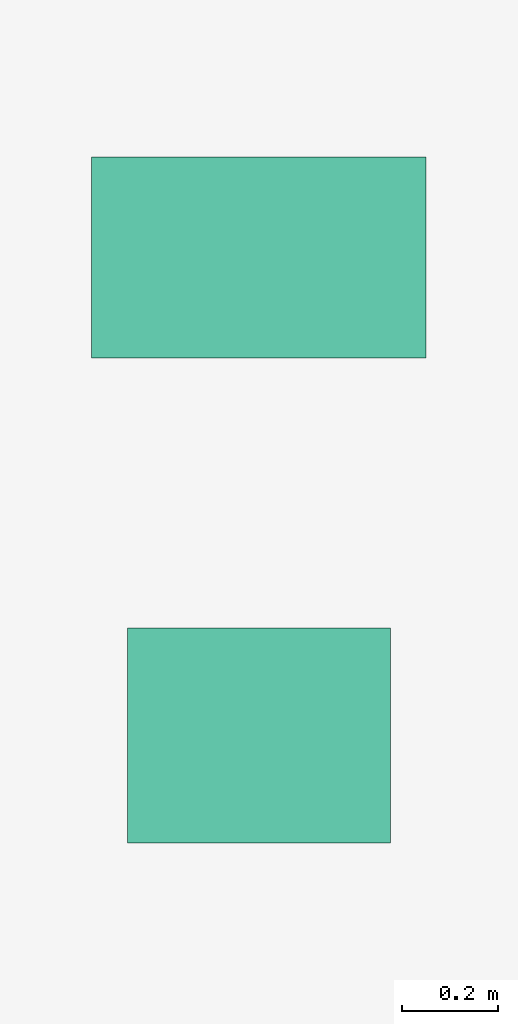
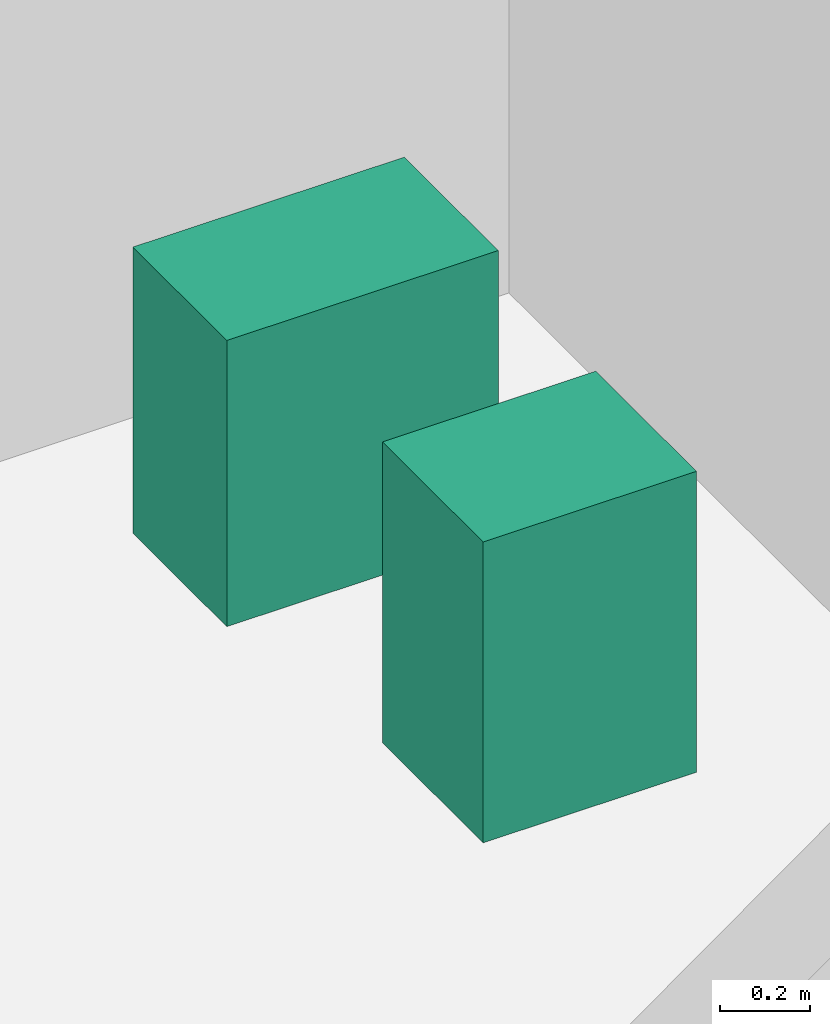
# One storey, part 36 of 36: 2 sanitary terminals.
"""IFC4 building model written with IfcOpenShell, lengths in metres."""

from ifc_helpers import new_model, si_unit, direction, frame, origin, origin_2d, place, context, subcontext, project, spatial, rectangle, extrude, source, transform, mapped, material, type_object, element, save


model = new_model("IFC4")

# Units and contexts
model_context = context("Model", 3, precision=1e-05, world=origin(), true_north=direction((0.0, 1.0)))
body_context = subcontext(model_context, "Body", "Model", "MODEL_VIEW")
ifc_project = project(units=[si_unit("LENGTHUNIT", "METRE"), si_unit("AREAUNIT", "SQUARE_METRE"), si_unit("VOLUMEUNIT", "CUBIC_METRE"), si_unit("PLANEANGLEUNIT", "RADIAN"), si_unit("MASSUNIT", "GRAM", prefix="KILO")], contexts=[model_context])

# Site, building, storey
site_placement = place(None, origin())
site = spatial("IfcSite", under=ifc_project, at=site_placement, CompositionType="ELEMENT")
building_placement = place(site_placement, origin())
building = spatial("IfcBuilding", under=site, at=building_placement, Name="Sumidabori Civic Tower", CompositionType="ELEMENT")
storey_placement = place(building_placement, frame((0.0, 0.0, 92.0)))
storey = spatial("IfcBuildingStorey", under=building, at=storey_placement, Name="L23", CompositionType="ELEMENT", Elevation=92.0)

# Sanitary terminals
ifc_material = material(Name="Vitreous Sanitary Porcelain")
sanitary_terminal_type_1 = type_object("IfcSanitaryTerminalType", Name="SN-WC-1", PredefinedType="TOILETPAN", material=ifc_material)
shared_shape_1 = source(origin(), body_context, "Body", "SweptSolid", [
    extrude(rectangle(XDim=0.699951171875, YDim=0.419921875, at=origin_2d()), origin(), (0.0, 0.0, 1.0), 0.780029296875),
])
sanitary_terminal_1_placement = place(storey_placement, frame((10.800048828125, 21.85009765625, 0.0), z_axis=(0.0, 0.0, 1.0), x_axis=(1.0, 0.0, 0.0)))
element("IfcSanitaryTerminal", 1, at=sanitary_terminal_1_placement, inside=storey, type_object=sanitary_terminal_type_1, Name="Accessible WC Pan L23", PredefinedType="TOILETPAN", context=body_context, shape_type="MappedRepresentation", body=[
    mapped(shared_shape_1, transform((0.0, 0.0, 0.0), x_axis=(1.0, 0.0, 0.0), y_axis=(0.0, 1.0, 0.0), z_axis=(0.0, 0.0, 1.0), scale=1.0)),
])
sanitary_terminal_type_2 = type_object("IfcSanitaryTerminalType", Name="SN-BAS-1", PredefinedType="WASHHANDBASIN", material=ifc_material)
shared_shape_2 = source(origin(), body_context, "Body", "SweptSolid", [
    extrude(rectangle(XDim=0.550048828125, YDim=0.449951171875, at=origin_2d()), origin(), (0.0, 0.0, 1.0), 0.820068359375),
])
sanitary_terminal_2_placement = place(storey_placement, frame((10.800048828125, 20.85009765625, 0.0), z_axis=(0.0, 0.0, 1.0), x_axis=(1.0, 0.0, 0.0)))
element("IfcSanitaryTerminal", 2, at=sanitary_terminal_2_placement, inside=storey, type_object=sanitary_terminal_type_2, Name="Accessible Basin L23", PredefinedType="WASHHANDBASIN", context=body_context, shape_type="MappedRepresentation", body=[
    mapped(shared_shape_2, transform((0.0, 0.0, 0.0), x_axis=(1.0, 0.0, 0.0), y_axis=(0.0, 1.0, 0.0), z_axis=(0.0, 0.0, 1.0), scale=1.0)),
])

save(model, "model.ifc")
